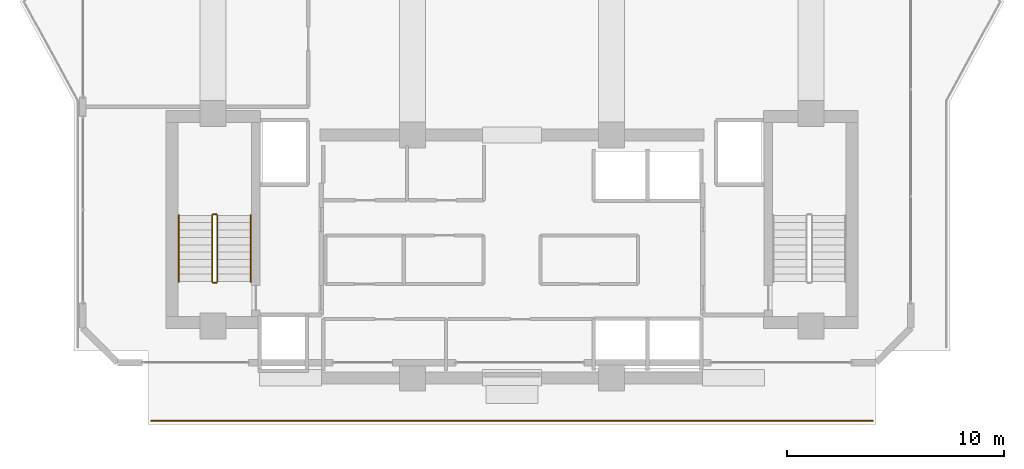
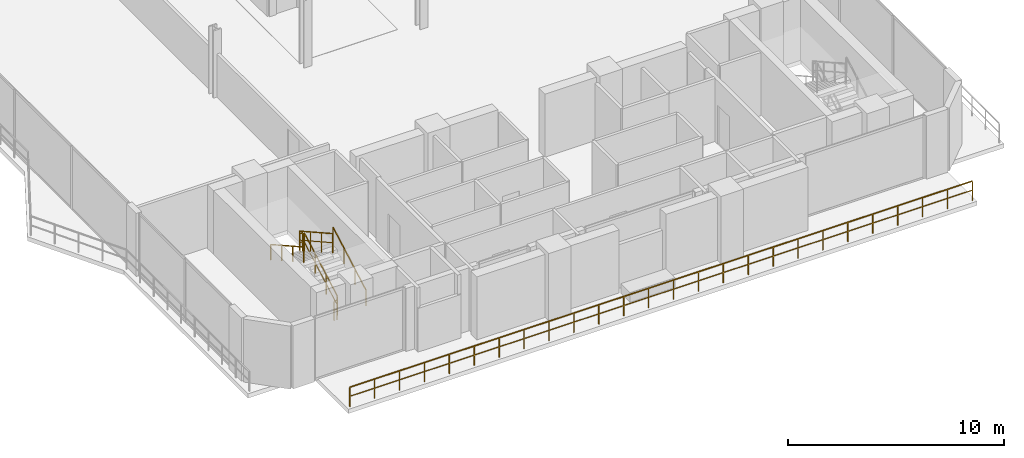
# One storey, part 25 of 27: 7 railings.
"""IFC4 building model written with IfcOpenShell, lengths in metres."""

from ifc_helpers import new_model, si_unit, direction, frame, origin, origin_2d, place, context, subcontext, project, spatial, rectangle, extrude, material, type_object, element, save


model = new_model("IFC4")

# Units and contexts
model_context = context("Model", 3, precision=1e-05, world=origin(), true_north=direction((0.0, 1.0)))
body_context = subcontext(model_context, "Body", "Model", "MODEL_VIEW")
ifc_project = project(units=[si_unit("LENGTHUNIT", "METRE"), si_unit("AREAUNIT", "SQUARE_METRE"), si_unit("VOLUMEUNIT", "CUBIC_METRE"), si_unit("PLANEANGLEUNIT", "RADIAN"), si_unit("MASSUNIT", "GRAM", prefix="KILO")], contexts=[model_context])

# Site, building, storey
site_placement = place(None, origin())
site = spatial("IfcSite", under=ifc_project, at=site_placement, CompositionType="ELEMENT")
building_placement = place(site_placement, origin())
building = spatial("IfcBuilding", under=site, at=building_placement, Name="Zuhayl Quay Hotel", CompositionType="ELEMENT")
storey_placement = place(building_placement, frame((0.0, 0.0, 297.25)))
storey = spatial("IfcBuildingStorey", under=building, at=storey_placement, Name="Crown 1", CompositionType="ELEMENT", Elevation=297.25)

# Railings
ifc_material_1 = material(Name="Anodised Aluminium and Laminated Glass", Category="aluminium")
railing_type_1 = type_object("IfcRailingType", Name="RL_EXT_BAL_1100", PredefinedType="BALUSTRADE", material=ifc_material_1)
railing_1_placement = place(storey_placement, frame((16.639892578125, 0.159912109375, 0.0)))
element("IfcRailing", 1, at=railing_1_placement, inside=storey, type_object=railing_type_1, Name="Crown 1 Balcony and Terrace Guard GR_CROWN_1_3", PredefinedType="BALUSTRADE", context=body_context, shape_type="SweptSolid", body=[
    extrude(rectangle(XDim=0.048095703125, YDim=0.048095703125, at=origin_2d()), frame((0.0, 0.0, 1.09619140625), z_axis=(-1.0, 0.0, 0.0), x_axis=(0.0, -1.0, 0.0)), (0.0, 0.0, 1.0), 33.27978515625),
    extrude(rectangle(XDim=0.0361328125, YDim=0.0361328125, at=origin_2d()), frame((0.0, 0.0, 0.58251953125), z_axis=(-1.0, 0.0, 0.0), x_axis=(0.0, -1.0, 0.0)), (0.0, 0.0, 1.0), 33.27978515625),
    extrude(rectangle(XDim=0.0419921875, YDim=0.0419921875, at=origin_2d()), origin(), (0.0, 0.0, 1.0), 1.072021484375),
    extrude(rectangle(XDim=0.0419921875, YDim=0.0419921875, at=origin_2d()), frame((-1.331298828125, 0.0, 0.0)), (0.0, 0.0, 1.0), 1.072021484375),
    extrude(rectangle(XDim=0.0419921875, YDim=0.0419921875, at=origin_2d()), frame((-2.662353515625, 0.0, 0.0)), (0.0, 0.0, 1.0), 1.072021484375),
    extrude(rectangle(XDim=0.0419921875, YDim=0.0419921875, at=origin_2d()), frame((-3.99365234375, 0.0, 0.0)), (0.0, 0.0, 1.0), 1.072021484375),
    extrude(rectangle(XDim=0.0419921875, YDim=0.0419921875, at=origin_2d()), frame((-5.32470703125, 0.0, 0.0)), (0.0, 0.0, 1.0), 1.072021484375),
    extrude(rectangle(XDim=0.0419921875, YDim=0.0419921875, at=origin_2d()), frame((-6.656005859375, 0.0, 0.0)), (0.0, 0.0, 1.0), 1.072021484375),
    extrude(rectangle(XDim=0.0419921875, YDim=0.0419921875, at=origin_2d()), frame((-7.987060546875, 0.0, 0.0)), (0.0, 0.0, 1.0), 1.072021484375),
    extrude(rectangle(XDim=0.0419921875, YDim=0.0419921875, at=origin_2d()), frame((-9.318359375, 0.0, 0.0)), (0.0, 0.0, 1.0), 1.072021484375),
    extrude(rectangle(XDim=0.0419921875, YDim=0.0419921875, at=origin_2d()), frame((-10.6494140625, 0.0, 0.0)), (0.0, 0.0, 1.0), 1.072021484375),
    extrude(rectangle(XDim=0.0419921875, YDim=0.0419921875, at=origin_2d()), frame((-11.980712890625, 0.0, 0.0)), (0.0, 0.0, 1.0), 1.072021484375),
    extrude(rectangle(XDim=0.0419921875, YDim=0.0419921875, at=origin_2d()), frame((-13.31201171875, 0.0, 0.0)), (0.0, 0.0, 1.0), 1.072021484375),
    extrude(rectangle(XDim=0.0419921875, YDim=0.0419921875, at=origin_2d()), frame((-14.64306640625, 0.0, 0.0)), (0.0, 0.0, 1.0), 1.072021484375),
    extrude(rectangle(XDim=0.0419921875, YDim=0.0419921875, at=origin_2d()), frame((-15.974365234375, 0.0, 0.0)), (0.0, 0.0, 1.0), 1.072021484375),
    extrude(rectangle(XDim=0.0419921875, YDim=0.0419921875, at=origin_2d()), frame((-17.305419921875, 0.0, 0.0)), (0.0, 0.0, 1.0), 1.072021484375),
    extrude(rectangle(XDim=0.0419921875, YDim=0.0419921875, at=origin_2d()), frame((-18.63671875, 0.0, 0.0)), (0.0, 0.0, 1.0), 1.072021484375),
    extrude(rectangle(XDim=0.0419921875, YDim=0.0419921875, at=origin_2d()), frame((-19.9677734375, 0.0, 0.0)), (0.0, 0.0, 1.0), 1.072021484375),
    extrude(rectangle(XDim=0.0419921875, YDim=0.0419921875, at=origin_2d()), frame((-21.299072265625, 0.0, 0.0)), (0.0, 0.0, 1.0), 1.072021484375),
    extrude(rectangle(XDim=0.0419921875, YDim=0.0419921875, at=origin_2d()), frame((-22.63037109375, 0.0, 0.0)), (0.0, 0.0, 1.0), 1.072021484375),
    extrude(rectangle(XDim=0.0419921875, YDim=0.0419921875, at=origin_2d()), frame((-23.96142578125, 0.0, 0.0)), (0.0, 0.0, 1.0), 1.072021484375),
    extrude(rectangle(XDim=0.0419921875, YDim=0.0419921875, at=origin_2d()), frame((-25.292724609375, 0.0, 0.0)), (0.0, 0.0, 1.0), 1.072021484375),
    extrude(rectangle(XDim=0.0419921875, YDim=0.0419921875, at=origin_2d()), frame((-26.623779296875, 0.0, 0.0)), (0.0, 0.0, 1.0), 1.072021484375),
    extrude(rectangle(XDim=0.0419921875, YDim=0.0419921875, at=origin_2d()), frame((-27.955078125, 0.0, 0.0)), (0.0, 0.0, 1.0), 1.072021484375),
    extrude(rectangle(XDim=0.0419921875, YDim=0.0419921875, at=origin_2d()), frame((-29.2861328125, 0.0, 0.0)), (0.0, 0.0, 1.0), 1.072021484375),
    extrude(rectangle(XDim=0.0419921875, YDim=0.0419921875, at=origin_2d()), frame((-30.617431640625, 0.0, 0.0)), (0.0, 0.0, 1.0), 1.072021484375),
    extrude(rectangle(XDim=0.0419921875, YDim=0.0419921875, at=origin_2d()), frame((-31.948486328125, 0.0, 0.0)), (0.0, 0.0, 1.0), 1.072021484375),
    extrude(rectangle(XDim=0.0419921875, YDim=0.0419921875, at=origin_2d()), frame((-33.27978515625, 0.0, 0.0)), (0.0, 0.0, 1.0), 1.072021484375),
])
ifc_material_2 = material(Name="Steel ASTM A992 Grade 50", Category="steel")
railing_type_2 = type_object("IfcRailingType", Name="RL_GUARD_1100", PredefinedType="GUARDRAIL", material=ifc_material_2)
railing_2_placement = place(storey_placement, frame((-13.590087890625, 6.590087890625, 0.18994140625)))
element("IfcRailing", 2, at=railing_2_placement, inside=storey, type_object=railing_type_2, Name="Crown 1 ST1 stair guard 1", PredefinedType="GUARDRAIL", context=body_context, shape_type="SweptSolid", body=[
    extrude(rectangle(XDim=0.048095703125, YDim=0.048095703125, at=origin_2d()), frame((0.0, 0.0, 1.09619140625), z_axis=(0.0, 0.872935630794, 0.487835407172), x_axis=(-1.0, 0.0, 0.0)), (0.0, 0.0, 1.0), 3.505126953125),
    extrude(rectangle(XDim=0.0361328125, YDim=0.0361328125, at=origin_2d()), frame((0.0, 0.0, 0.58251953125), z_axis=(0.0, 0.872935630794, 0.487835407172), x_axis=(-1.0, 0.0, 0.0)), (0.0, 0.0, 1.0), 3.505126953125),
    extrude(rectangle(XDim=0.0419921875, YDim=0.0419921875, at=origin_2d()), origin(), (0.0, 0.0, 1.0), 1.072021484375),
    extrude(rectangle(XDim=0.0419921875, YDim=0.0419921875, at=origin_2d()), frame((0.0, 1.02001953125, 0.570068359375)), (0.0, 0.0, 1.0), 1.072021484375),
    extrude(rectangle(XDim=0.0419921875, YDim=0.0419921875, at=origin_2d()), frame((0.0, 2.039794921875, 1.139892578125)), (0.0, 0.0, 1.0), 1.072021484375),
    extrude(rectangle(XDim=0.0419921875, YDim=0.0419921875, at=origin_2d()), frame((0.0, 3.059814453125, 1.7099609375)), (0.0, 0.0, 1.0), 1.072021484375),
])
railing_3_placement = place(storey_placement, frame((-13.639892578125, 9.699951171875, 1.89990234375)))
element("IfcRailing", 3, at=railing_3_placement, inside=storey, type_object=railing_type_2, Name="Crown 1 ST1 stair guard 2", PredefinedType="GUARDRAIL", context=body_context, shape_type="SweptSolid", body=[
    extrude(rectangle(XDim=0.048095703125, YDim=0.048095703125, at=origin_2d()), frame((0.0, 0.0, 1.09619140625), z_axis=(-1.0, 0.0, 0.0), x_axis=(0.0, -1.0, 0.0)), (0.0, 0.0, 1.0), 0.150146484375),
    extrude(rectangle(XDim=0.0361328125, YDim=0.0361328125, at=origin_2d()), frame((0.0, 0.0, 0.58251953125), z_axis=(-1.0, 0.0, 0.0), x_axis=(0.0, -1.0, 0.0)), (0.0, 0.0, 1.0), 0.150146484375),
    extrude(rectangle(XDim=0.0419921875, YDim=0.0419921875, at=origin_2d()), origin(), (0.0, 0.0, 1.0), 1.072021484375),
    extrude(rectangle(XDim=0.0419921875, YDim=0.0419921875, at=origin_2d()), frame((-0.150146484375, 0.0, 0.0)), (0.0, 0.0, 1.0), 1.072021484375),
])
railing_4_placement = place(storey_placement, frame((-13.840087890625, 9.64990234375, 2.090087890625)))
element("IfcRailing", 4, at=railing_4_placement, inside=storey, type_object=railing_type_2, Name="Crown 1 ST1 stair guard 3", PredefinedType="GUARDRAIL", context=body_context, shape_type="SweptSolid", body=[
    extrude(rectangle(XDim=0.048095703125, YDim=0.048095703125, at=origin_2d()), frame((0.0, 0.0, 1.09619140625), z_axis=(0.0, -0.872935630794, 0.487835407172), x_axis=(1.0, 0.0, 0.0)), (0.0, 0.0, 1.0), 3.505126953125),
    extrude(rectangle(XDim=0.0361328125, YDim=0.0361328125, at=origin_2d()), frame((0.0, 0.0, 0.58251953125), z_axis=(0.0, -0.872935630794, 0.487835407172), x_axis=(1.0, 0.0, 0.0)), (0.0, 0.0, 1.0), 3.505126953125),
    extrude(rectangle(XDim=0.0419921875, YDim=0.0419921875, at=origin_2d()), origin(), (0.0, 0.0, 1.0), 1.072021484375),
    extrude(rectangle(XDim=0.0419921875, YDim=0.0419921875, at=origin_2d()), frame((0.0, -1.02001953125, 0.570068359375)), (0.0, 0.0, 1.0), 1.072021484375),
    extrude(rectangle(XDim=0.0419921875, YDim=0.0419921875, at=origin_2d()), frame((0.0, -2.039794921875, 1.139892578125)), (0.0, 0.0, 1.0), 1.072021484375),
    extrude(rectangle(XDim=0.0419921875, YDim=0.0419921875, at=origin_2d()), frame((0.0, -3.059814453125, 1.7099609375)), (0.0, 0.0, 1.0), 1.072021484375),
])
railing_5_placement = place(storey_placement, frame((-13.639892578125, 6.5400390625, 0.0)))
element("IfcRailing", 5, at=railing_5_placement, inside=storey, type_object=railing_type_2, Name="Crown 1 ST1 stair guard 4", PredefinedType="GUARDRAIL", context=body_context, shape_type="SweptSolid", body=[
    extrude(rectangle(XDim=0.048095703125, YDim=0.048095703125, at=origin_2d()), frame((0.0, 0.0, 1.09619140625), z_axis=(-1.0, 0.0, 0.0), x_axis=(0.0, -1.0, 0.0)), (0.0, 0.0, 1.0), 0.150146484375),
    extrude(rectangle(XDim=0.0361328125, YDim=0.0361328125, at=origin_2d()), frame((0.0, 0.0, 0.58251953125), z_axis=(-1.0, 0.0, 0.0), x_axis=(0.0, -1.0, 0.0)), (0.0, 0.0, 1.0), 0.150146484375),
    extrude(rectangle(XDim=0.0419921875, YDim=0.0419921875, at=origin_2d()), origin(), (0.0, 0.0, 1.0), 1.072021484375),
    extrude(rectangle(XDim=0.0419921875, YDim=0.0419921875, at=origin_2d()), frame((-0.150146484375, 0.0, 0.0)), (0.0, 0.0, 1.0), 1.072021484375),
])
railing_type_3 = type_object("IfcRailingType", Name="RL_HANDRAIL_920", PredefinedType="HANDRAIL", material=ifc_material_2)
railing_6_placement = place(storey_placement, frame((-12.050048828125, 6.590087890625, 0.18994140625)))
element("IfcRailing", 6, at=railing_6_placement, inside=storey, type_object=railing_type_3, Name="Crown 1 ST1 stair handrail 1", PredefinedType="HANDRAIL", context=body_context, shape_type="SweptSolid", body=[
    extrude(rectangle(XDim=0.048095703125, YDim=0.048095703125, at=origin_2d()), frame((0.0, 0.0, 0.8759765625), z_axis=(0.0, 0.872935630794, 0.487835407172), x_axis=(-1.0, 0.0, 0.0)), (0.0, 0.0, 1.0), 3.505126953125),
    extrude(rectangle(XDim=0.0419921875, YDim=0.0419921875, at=origin_2d()), origin(), (0.0, 0.0, 1.0), 0.851806640625),
    extrude(rectangle(XDim=0.0419921875, YDim=0.0419921875, at=origin_2d()), frame((0.0, 1.02001953125, 0.570068359375)), (0.0, 0.0, 1.0), 0.851806640625),
    extrude(rectangle(XDim=0.0419921875, YDim=0.0419921875, at=origin_2d()), frame((0.0, 2.039794921875, 1.139892578125)), (0.0, 0.0, 1.0), 0.851806640625),
    extrude(rectangle(XDim=0.0419921875, YDim=0.0419921875, at=origin_2d()), frame((0.0, 3.059814453125, 1.7099609375)), (0.0, 0.0, 1.0), 0.851806640625),
])
railing_7_placement = place(storey_placement, frame((-15.3798828125, 9.64990234375, 2.090087890625)))
element("IfcRailing", 7, at=railing_7_placement, inside=storey, type_object=railing_type_3, Name="Crown 1 ST1 stair handrail 2", PredefinedType="HANDRAIL", context=body_context, shape_type="SweptSolid", body=[
    extrude(rectangle(XDim=0.048095703125, YDim=0.048095703125, at=origin_2d()), frame((0.0, 0.0, 0.8759765625), z_axis=(0.0, -0.872935630794, 0.487835407172), x_axis=(1.0, 0.0, 0.0)), (0.0, 0.0, 1.0), 3.505126953125),
    extrude(rectangle(XDim=0.0419921875, YDim=0.0419921875, at=origin_2d()), origin(), (0.0, 0.0, 1.0), 0.851806640625),
    extrude(rectangle(XDim=0.0419921875, YDim=0.0419921875, at=origin_2d()), frame((0.0, -1.02001953125, 0.570068359375)), (0.0, 0.0, 1.0), 0.851806640625),
    extrude(rectangle(XDim=0.0419921875, YDim=0.0419921875, at=origin_2d()), frame((0.0, -2.039794921875, 1.139892578125)), (0.0, 0.0, 1.0), 0.851806640625),
    extrude(rectangle(XDim=0.0419921875, YDim=0.0419921875, at=origin_2d()), frame((0.0, -3.059814453125, 1.7099609375)), (0.0, 0.0, 1.0), 0.851806640625),
])

save(model, "model.ifc")
